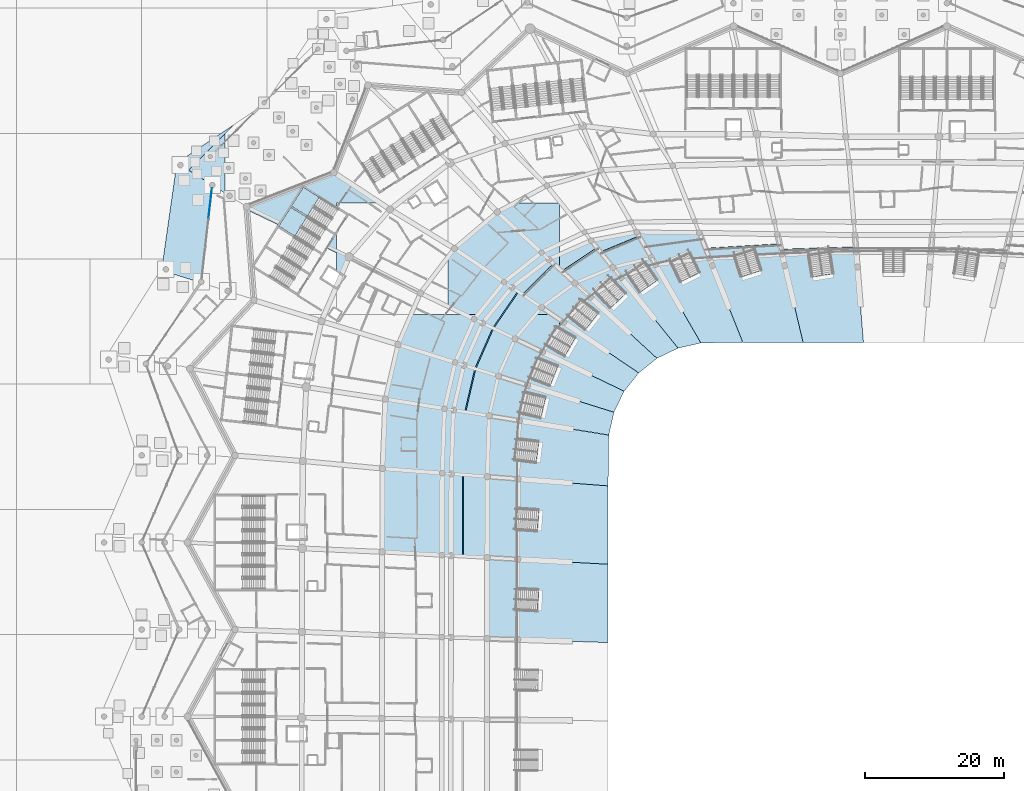
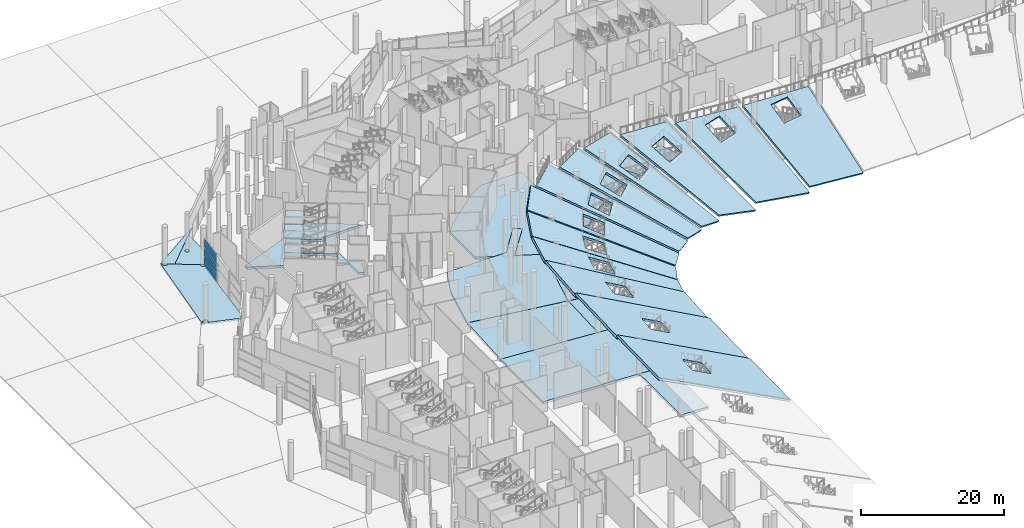
# One storey, part 88 of 255: 29 slabs, 3 plates, 3 elements without a shape of their own.
"""IFC4 building model written with IfcOpenShell, lengths in metres."""

from ifc_helpers import new_model, si_unit, direction, frame, origin, origin_2d, place, context, subcontext, project, spatial, polyline, rectangle, outline, extrude, material, layer, layer_set, type_object, element, aggregate, save


model = new_model("IFC4")

# Units and contexts
model_context = context("Model", 3, precision=1e-05, world=origin(), true_north=direction((0.0, 1.0)))
body_context = subcontext(model_context, "Body", "Model", "MODEL_VIEW")
ifc_project = project(units=[si_unit("LENGTHUNIT", "METRE"), si_unit("AREAUNIT", "SQUARE_METRE"), si_unit("VOLUMEUNIT", "CUBIC_METRE"), si_unit("PLANEANGLEUNIT", "RADIAN"), si_unit("MASSUNIT", "GRAM", prefix="KILO")], contexts=[model_context])

# Site, building, storey
site_placement = place(None, origin())
site = spatial("IfcSite", under=ifc_project, at=site_placement, CompositionType="ELEMENT")
building_placement = place(site_placement, origin())
building = spatial("IfcBuilding", under=site, at=building_placement, Name="Meseta Stadium", CompositionType="ELEMENT")
storey_placement = place(building_placement, origin())
storey = spatial("IfcBuildingStorey", under=building, at=storey_placement, Name="L00", CompositionType="ELEMENT", Elevation=0.0)

# Slabs
ifc_material_1 = material(Name="Concrete C40/50", Category="concrete")
ifc_layer_1 = layer(ifc_material_1, 0.39990234375)
ifc_layer_set_1 = layer_set([ifc_layer_1], Name="Floor slab 400")
slab_type_1 = type_object("IfcSlabType", Name="Floor slab 400", PredefinedType="FLOOR", material=ifc_layer_set_1)
slab_1_placement = place(storey_placement, frame((0.0, 0.0, -0.39990234375)))
element("IfcSlab", 1, at=slab_1_placement, inside=storey, type_object=slab_type_1, Name="Floor slab L00 sector 21 panel 03", PredefinedType="FLOOR", context=body_context, shape_type="SweptSolid", body=[
    extrude(outline(polyline([(-80.124267578125, 84.98388671875), (-80.365478515625, 84.365478515625), (-92.908447265625, 79.474609375), (-92.87451171875, 79.03369140625), (-88.2158203125, 76.793212890625), (-86.58056640625, 79.395751953125), (-80.314697265625, 75.458740234375), (-81.504150390625, 73.565673828125), (-80.0, 72.84228515625), (-80.0, 70.12353515625), (-79.308349609375, 69.68896484375), (-78.197998046875, 72.27197265625), (-80.0, 73.154296875), (-80.0, 75.959716796875), (-80.208251953125, 75.628173828125), (-86.47412109375, 79.565185546875), (-84.771484375, 82.274658203125), (-80.0, 79.276611328125), (-80.0, 80.0), (-73.699951171875, 80.0), (-80.0, 84.126220703125), (-80.0, 84.89990234375), (-80.124267578125, 84.98388671875)])), origin(), (0.0, 0.0, 1.0), 0.39990234375),
])
slab_2_placement = place(storey_placement, frame((0.0, 0.0, -0.39990234375)))
element("IfcSlab", 2, at=slab_2_placement, inside=storey, type_object=slab_type_1, Name="Floor slab L00 sector 21 panel 08", PredefinedType="FLOOR", context=body_context, shape_type="SweptSolid", body=[
    extrude(outline(polyline([(-58.08203125, 49.455810546875), (-56.76123046875, 55.159912109375), (-54.3642578125, 60.513427734375), (-59.049072265625, 62.766357421875), (-54.819580078125, 67.901611328125), (-55.940185546875, 68.658203125), (-59.68408203125, 64.0), (-69.297119140625, 64.0), (-71.169677734375, 59.67724609375), (-72.989990234375, 51.85693359375), (-58.08203125, 49.455810546875)])), origin(), (0.0, 0.0, 1.0), 0.39990234375),
])
slab_3_placement = place(storey_placement, frame((0.0, 0.0, -0.39990234375)))
element("IfcSlab", 3, at=slab_3_placement, inside=storey, type_object=slab_type_1, Name="Floor slab L00 sector 21 panel 11", PredefinedType="FLOOR", context=body_context, shape_type="SweptSolid", body=[
    extrude(outline(polyline([(-64.0, 72.251708984375), (-64.0, 65.1474609375), (-61.614013671875, 64.0), (-59.68408203125, 64.0), (-55.940185546875, 68.658203125), (-54.819580078125, 67.901611328125), (-59.049072265625, 62.766357421875), (-54.3642578125, 60.513427734375), (-51.41650390625, 64.0), (-49.0400390625, 64.0), (-48.0, 63.2978515625), (-48.0, 62.14111328125), (-47.944580078125, 62.211669921875), (-47.38134765625, 62.880126953125), (-46.79638671875, 63.5302734375), (-46.34521484375, 64.0), (-48.0, 64.0), (-48.0, 66.880615234375), (-45.777099609375, 68.499755859375), (-48.0, 70.53466796875), (-48.0, 80.0), (-54.4716796875, 80.0), (-56.9150390625, 78.69580078125), (-63.068115234375, 73.469970703125), (-64.0, 72.251708984375)])), origin(), (0.0, 0.0, 1.0), 0.39990234375),
])
slab_4_placement = place(storey_placement, frame((0.0, 0.0, -0.39990234375)))
element("IfcSlab", 4, at=slab_4_placement, inside=storey, type_object=slab_type_1, Name="Floor slab L00 sector 21 panel 12", PredefinedType="FLOOR", context=body_context, shape_type="SweptSolid", body=[
    extrude(outline(polyline([(-53.458984375, 50.469970703125), (-53.2763671875, 51.32373046875), (-53.06591796875, 52.17138671875), (-52.827880859375, 53.011474609375), (-52.562744140625, 53.843505859375), (-52.270751953125, 54.666259765625), (-51.951904296875, 55.479248046875), (-51.6064453125, 56.281494140625), (-51.2353515625, 57.072021484375), (-50.83837890625, 57.85009765625), (-50.41650390625, 58.61474609375), (-49.969482421875, 59.365478515625), (-49.49853515625, 60.101318359375), (-49.003662109375, 60.8212890625), (-48.485595703125, 61.52490234375), (-48.0, 62.14111328125), (-48.0, 63.2978515625), (-49.0400390625, 64.0), (-51.41650390625, 64.0), (-54.3642578125, 60.513427734375), (-56.76123046875, 55.159912109375), (-58.08203125, 49.455810546875), (-53.73876953125, 48.75634765625), (-53.61376953125, 49.610595703125), (-53.458984375, 50.469970703125)])), origin(), (0.0, 0.0, 1.0), 0.39990234375),
])
slab_5_placement = place(storey_placement, frame((0.0, 0.0, -0.39990234375)))
element("IfcSlab", 5, at=slab_5_placement, inside=storey, type_object=slab_type_1, Name="Floor slab L00 sector 21 panel 16", PredefinedType="FLOOR", context=body_context, shape_type="SweptSolid", body=[
    extrude(outline(polyline([(-36.885986328125, 75.8330078125), (-43.430419921875, 74.617431640625), (-48.0, 72.59619140625), (-48.0, 70.53466796875), (-45.777099609375, 68.499755859375), (-48.0, 66.880615234375), (-48.0, 64.0), (-46.34521484375, 64.0), (-46.190673828125, 64.1611328125), (-45.564453125, 64.77197265625), (-44.918212890625, 65.3623046875), (-44.253173828125, 65.931396484375), (-43.5693359375, 66.478759765625), (-42.867919921875, 67.00390625), (-42.1494140625, 67.505859375), (-41.414306640625, 67.984619140625), (-40.663818359375, 68.439208984375), (-39.898193359375, 68.869384765625), (-39.11865234375, 69.274658203125), (-38.325439453125, 69.654541015625), (-37.519775390625, 70.0087890625), (-36.701904296875, 70.3369140625), (-35.873291015625, 70.638427734375), (-35.033935546875, 70.9130859375), (-34.185302734375, 71.16064453125), (-36.885986328125, 75.8330078125)])), origin(), (0.0, 0.0, 1.0), 0.39990234375),
])
slab_6_placement = place(storey_placement, frame((0.0, 0.0, -0.39990234375)))
element("IfcSlab", 6, at=slab_6_placement, inside=storey, type_object=slab_type_1, Name="Floor slab L00 sector 21 panel 19", PredefinedType="FLOOR", context=body_context, shape_type="SweptSolid", body=[
    extrude(outline(polyline([(-36.8857421875, 75.8330078125), (-34.185302734375, 71.16064453125), (-33.32763671875, 71.380615234375), (-32.4619140625, 71.572998046875), (-31.589111328125, 71.7373046875), (-29.8876953125, 71.856201171875), (-28.178466796875, 71.9716796875), (-26.47216796875, 72.082763671875), (-27.921630859375, 75.735595703125), (-36.8857421875, 75.8330078125)])), origin(), (0.0, 0.0, 1.0), 0.39990234375),
])
slab_7_placement = place(storey_placement, frame((0.0, 0.0, -0.39990234375)))
element("IfcSlab", 7, at=slab_7_placement, inside=storey, type_object=slab_type_1, Name="Floor slab L00 sector 28 panel 19", PredefinedType="FLOOR", context=body_context, shape_type="SweptSolid", body=[
    extrude(outline(polyline([(-58.084716796875, 49.43603515625), (-72.99267578125, 51.837158203125), (-73.40478515625, 41.8623046875), (-58.34912109375, 40.70654296875), (-58.084716796875, 49.43603515625)])), origin(), (0.0, 0.0, 1.0), 0.39990234375),
])
slab_8_placement = place(storey_placement, frame((0.0, 0.0, -0.39990234375)))
element("IfcSlab", 8, at=slab_8_placement, inside=storey, type_object=slab_type_1, Name="Floor slab L00 sector 28 panel 21", PredefinedType="FLOOR", context=body_context, shape_type="SweptSolid", body=[
    extrude(outline(polyline([(-53.9619140625, 40.369873046875), (-73.40478515625, 41.8623046875), (-73.451416015625, 29.904052734375), (-53.98046875, 28.836669921875), (-53.9619140625, 40.369873046875)])), origin(), (0.0, 0.0, 1.0), 0.39990234375),
])
slab_9_placement = place(storey_placement, frame((0.0, 0.0, -0.39990234375)))
element("IfcSlab", 9, at=slab_9_placement, inside=storey, type_object=slab_type_1, Name="Floor slab L00 sector 28 panel 25", PredefinedType="FLOOR", context=body_context, shape_type="SweptSolid", body=[
    extrude(outline(polyline([(-53.992919921875, 17.302490234375), (-53.98046875, 28.836669921875), (-58.373779296875, 29.077392578125), (-58.390625, 17.447021484375), (-53.992919921875, 17.302490234375)])), origin(), (0.0, 0.0, 1.0), 0.39990234375),
])
slab_10_placement = place(storey_placement, frame((0.0, 0.0, -0.39990234375)))
element("IfcSlab", 10, at=slab_10_placement, inside=storey, type_object=slab_type_1, Name="Floor slab L00 sector 28 panel 26", PredefinedType="FLOOR", context=body_context, shape_type="SweptSolid", body=[
    extrude(outline(polyline([(-53.838623046875, 47.87890625), (-53.741455078125, 48.736572265625), (-58.084716796875, 49.43603515625), (-58.34912109375, 40.70654296875), (-53.9619140625, 40.369873046875), (-53.9501953125, 46.135986328125), (-53.90869140625, 47.00830078125), (-53.838623046875, 47.87890625)])), origin(), (0.0, 0.0, 1.0), 0.39990234375),
])
ifc_material_2 = material(Name="Concrete C40/50", Category="concrete")
ifc_layer_2 = layer(ifc_material_2, 0.300048828125)
ifc_layer_set_2 = layer_set([ifc_layer_2], Name="Gate court paving 300")
slab_type_2 = type_object("IfcSlabType", Name="Gate court paving 300", PredefinedType="FLOOR", material=ifc_layer_set_2)
slab_11_placement = place(storey_placement, frame((0.0, 0.0, -0.300048828125)))
element("IfcSlab", 11, at=slab_11_placement, inside=storey, type_object=slab_type_2, Name="Gate 4 court paving", PredefinedType="FLOOR", context=body_context, shape_type="SweptSolid", body=[
    extrude(outline(polyline([(-93.10888671875, 79.600341796875), (-101.236572265625, 84.70751953125), (-94.555419921875, 91.388671875), (-102.93212890625, 85.77294921875), (-93.10888671875, 79.600341796875)])), origin(), (0.0, 0.0, 1.0), 0.300048828125),
])
ifc_material_3 = material(Name="Concrete C30/37", Category="concrete")
ifc_layer_3 = layer(ifc_material_3, 0.300048828125)
ifc_layer_set_3 = layer_set([ifc_layer_3], Name="Gate grade slab 300")
slab_type_3 = type_object("IfcSlabType", Name="Gate grade slab 300", PredefinedType="BASESLAB", material=ifc_layer_set_3)
slab_12_placement = place(storey_placement, frame((0.0, 0.0, -0.300048828125)))
element("IfcSlab", 12, at=slab_12_placement, inside=storey, type_object=slab_type_3, Name="Gate ground floor slab 4 panel 01", PredefinedType="BASESLAB", context=body_context, shape_type="SweptSolid", body=[
    extrude(outline(polyline([(-96.0, 89.944091796875), (-101.236572265625, 84.70751953125), (-96.0, 81.4169921875), (-96.0, 89.944091796875)]), holes=[polyline([(-97.87548828125, 86.523681640625), (-97.923583984375, 86.461181640625), (-97.986328125, 86.4130859375), (-98.059326171875, 86.3828125), (-98.1376953125, 86.372314453125), (-98.2158203125, 86.3828125), (-98.288818359375, 86.4130859375), (-98.3515625, 86.461181640625), (-98.399658203125, 86.523681640625), (-98.429931640625, 86.5966796875), (-98.440185546875, 86.675048828125), (-98.429931640625, 86.75341796875), (-98.399658203125, 86.826416015625), (-98.3515625, 86.888916015625), (-98.288818359375, 86.93701171875), (-98.2158203125, 86.96728515625), (-98.1376953125, 86.9775390625), (-98.059326171875, 86.96728515625), (-97.986328125, 86.93701171875), (-97.923583984375, 86.888916015625), (-97.87548828125, 86.826416015625), (-97.84521484375, 86.75341796875), (-97.8349609375, 86.675048828125), (-97.84521484375, 86.5966796875), (-97.87548828125, 86.523681640625)])]), origin(), (0.0, 0.0, 1.0), 0.300048828125),
])
ifc_material_4 = material(Name="Concrete C40/50", Category="concrete")
ifc_layer_4 = layer(ifc_material_4, 0.300048828125)
ifc_layer_set_4 = layer_set([ifc_layer_4], Name="Passage paving slab 300")
slab_type_4 = type_object("IfcSlabType", Name="Passage paving slab 300", PredefinedType="FLOOR", material=ifc_layer_set_4)
slab_13_placement = place(storey_placement, frame((0.0, 0.0, -0.300048828125)))
element("IfcSlab", 13, at=slab_13_placement, inside=storey, type_object=slab_type_4, Name="Covered passage paving 4 part 2 panel 02", PredefinedType="FLOOR", context=body_context, shape_type="SweptSolid", body=[
    extrude(outline(polyline([(-99.423828125, 69.09716796875), (-99.37890625, 69.09130859375), (-97.89697265625, 82.18310546875), (-97.956298828125, 82.19091796875), (-98.0537109375, 82.231201171875), (-98.13720703125, 82.29541015625), (-98.201416015625, 82.37890625), (-98.24169921875, 82.476318359375), (-98.25537109375, 82.580810546875), (-98.24169921875, 82.68505859375), (-98.201416015625, 82.782470703125), (-98.19189453125, 82.79443359375), (-102.083984375, 85.239990234375), (-102.138916015625, 85.16845703125), (-102.222412109375, 85.104248046875), (-102.31982421875, 85.06396484375), (-102.42431640625, 85.05029296875), (-102.528564453125, 85.06396484375), (-102.6259765625, 85.104248046875), (-102.70947265625, 85.16845703125), (-102.773681640625, 85.251953125), (-102.81396484375, 85.34912109375), (-102.82763671875, 85.45361328125), (-102.81396484375, 85.55810546875), (-102.773681640625, 85.655517578125), (-102.764404296875, 85.66748046875), (-102.93212890625, 85.77294921875), (-105.087158203125, 70.675537109375), (-105.27880859375, 70.37158203125), (-104.837646484375, 70.233154296875), (-104.8701171875, 70.275634765625), (-104.910400390625, 70.372802734375), (-104.92431640625, 70.477294921875), (-104.910400390625, 70.581787109375), (-104.8701171875, 70.678955078125), (-104.805908203125, 70.7626953125), (-104.722412109375, 70.82666015625), (-104.625244140625, 70.866943359375), (-104.520751953125, 70.880859375), (-104.416259765625, 70.866943359375), (-104.319091796875, 70.82666015625), (-104.235595703125, 70.7626953125), (-104.17138671875, 70.678955078125), (-104.131103515625, 70.581787109375), (-104.1171875, 70.477294921875), (-104.131103515625, 70.372802734375), (-104.17138671875, 70.275634765625), (-104.235595703125, 70.19189453125), (-104.319091796875, 70.1279296875), (-104.397705078125, 70.09521484375), (-99.822998046875, 68.660888671875), (-99.8271484375, 68.69384765625), (-99.8134765625, 68.798095703125), (-99.773193359375, 68.8955078125), (-99.708984375, 68.97900390625), (-99.62548828125, 69.043212890625), (-99.5283203125, 69.08349609375), (-99.423828125, 69.09716796875)])), origin(), (0.0, 0.0, 1.0), 0.300048828125),
])

# Curtain wall, plates
ifc_material_5 = material(Name="Aluminium", Category="aluminium")
ifc_layer_5 = layer(ifc_material_5, 0.199951171875)
ifc_layer_set_5 = layer_set([ifc_layer_5], Name="Ring shopfront curtain wall")
curtain_wall_type = type_object("IfcCurtainWallType", Name="Ring shopfront curtain wall", PredefinedType="NOTDEFINED", material=ifc_layer_set_5)
curtain_wall_placement = place(storey_placement, origin())
curtain_wall = element("IfcCurtainWall", 14, at=curtain_wall_placement, inside=storey, type_object=curtain_wall_type, Name="Shopfront glazing F26a", PredefinedType="NOTDEFINED")
ifc_material_6 = material(Name="Glass", Category="glass")
ifc_layer_6 = layer(ifc_material_6, 0.035888671875)
ifc_layer_set_6 = layer_set([ifc_layer_6], Name="Ring CW glass panel 36")
plate_type = type_object("IfcPlateType", Name="Ring CW glass panel 36", PredefinedType="CURTAIN_PANEL", material=ifc_layer_set_6)
plate_1_placement = place(storey_placement, frame((-98.1435546875, 80.003173828125, 0.150146484375), z_axis=(0.0, 0.0, 1.0), x_axis=(-0.112472456913, -0.993654842707, 0.0)))
plate_1 = element("IfcPlate", 15, at=plate_1_placement, type_object=plate_type, Name="CWR1 panel 1.1", PredefinedType="CURTAIN_PANEL", context=body_context, shape_type="SweptSolid", body=[
    extrude(rectangle(XDim=4.267822265625, YDim=0.035888671875, at=origin_2d()), origin(), (0.0, 0.0, 1.0), 1.3916015625),
])
plate_2_placement = place(storey_placement, frame((-98.1435546875, 80.003173828125, 1.69189453125), z_axis=(0.0, 0.0, 1.0), x_axis=(-0.112472456913, -0.993654842707, 0.0)))
plate_2 = element("IfcPlate", 16, at=plate_2_placement, type_object=plate_type, Name="CWR1 panel 1.2", PredefinedType="CURTAIN_PANEL", context=body_context, shape_type="SweptSolid", body=[
    extrude(rectangle(XDim=4.267822265625, YDim=0.035888671875, at=origin_2d()), origin(), (0.0, 0.0, 1.0), 1.466552734375),
])
plate_3_placement = place(storey_placement, frame((-98.1435546875, 80.003173828125, 3.308349609375), z_axis=(0.0, 0.0, 1.0), x_axis=(-0.112472456913, -0.993654842707, 0.0)))
plate_3 = element("IfcPlate", 17, at=plate_3_placement, type_object=plate_type, Name="CWR1 panel 1.3", PredefinedType="CURTAIN_PANEL", context=body_context, shape_type="SweptSolid", body=[
    extrude(rectangle(XDim=4.267822265625, YDim=0.035888671875, at=origin_2d()), origin(), (0.0, 0.0, 1.0), 1.3916015625),
])
aggregate(curtain_wall, [plate_1, plate_2, plate_3])

# Slabs
ifc_material_7 = material(Name="Concrete C40/50", Category="concrete")
ifc_layer_7 = layer(ifc_material_7, 0.35009765625)
ifc_layer_set_7 = layer_set([ifc_layer_7], Name="Seating tier 350")
slab_type_5 = type_object("IfcSlabType", Name="Seating tier 350", PredefinedType="USERDEFINED", material=ifc_layer_set_7)
slab_14_placement = place(storey_placement, frame((-4.333251953125, 60.0, -3.346435546875), z_axis=(0.071216565093, -0.448708363617, 0.890836127061), x_axis=(-0.070520608907, 0.888603931453, 0.453221686072)))
element("IfcSlab", 18, at=slab_14_placement, inside=storey, type_object=slab_type_5, Name="Stand lower tier bay 20", ObjectType="SEATING TIER", PredefinedType="USERDEFINED", context=body_context, shape_type="SweptSolid", body=[
    extrude(outline(polyline([(0.0, 0.0), (15.256945081928205, -1.1102230246251565e-16), (16.038148800663137, 10.739706448419065), (0.9252085548518354, 8.645032168259982), (0.0, 0.0)]), holes=[polyline([(11.509033203125, 3.580810546875), (14.86865234375, 3.8154296875), (14.65966796875, 6.808349609375), (11.30029296875, 6.573486328125), (11.509033203125, 3.580810546875)])]), origin(), (0.0, 0.0, -1.0), 0.35009765625),
])
slab_15_placement = place(storey_placement, frame((-13.0, 60.0, -3.668701171875), z_axis=(0.137459001518, -0.433033482102, 0.890835016308), x_axis=(-0.206445211616, 0.86709572099, 0.453349076586)))
element("IfcSlab", 19, at=slab_15_placement, inside=storey, type_object=slab_type_5, Name="Stand lower tier bay 21", ObjectType="SEATING TIER", PredefinedType="USERDEFINED", context=body_context, shape_type="SweptSolid", body=[
    extrude(outline(polyline([(0.0, 0.0), (16.155502590927636, 1.1102230246251565e-16), (18.41677533676479, 10.493847375066798), (2.3927881983788186, 8.426055499945535), (0.0, 0.0)]), holes=[polyline([(12.916259765625, 3.468017578125), (16.276611328125, 3.68896484375), (16.079833984375, 6.682373046875), (12.719482421875, 6.46142578125), (12.916259765625, 3.468017578125)])]), origin(), (0.0, 0.0, -1.0), 0.35009765625),
])
slab_16_placement = place(storey_placement, frame((-21.6767578125, 59.999755859375, -3.647705078125), z_axis=(0.198989699376, -0.408426764204, 0.890837065812), x_axis=(-0.328785946877, 0.828508050737, 0.453292632856)))
element("IfcSlab", 20, at=slab_16_placement, inside=storey, type_object=slab_type_5, Name="Stand lower tier bay 22", ObjectType="SEATING TIER", PredefinedType="USERDEFINED", context=body_context, shape_type="SweptSolid", body=[
    extrude(outline(polyline([(0.0, 0.0), (17.94888788482146, 6.661338147750939e-16), (20.282915573683724, 7.951698387193904), (2.483919633776646, 5.617383459537127), (0.0, 0.0)]), holes=[polyline([(13.071044921875, 2.072998046875), (16.430908203125, 2.2998046875), (16.22900390625, 5.29296875), (12.869140625, 5.06640625), (13.071044921875, 2.072998046875)])]), origin(), (0.0, 0.0, -1.0), 0.35009765625),
])
slab_17_placement = place(storey_placement, frame((-27.679443359375, 59.90576171875, -3.3173828125), z_axis=(0.258024506389, -0.373946920272, 0.890835032383), x_axis=(-0.446107787374, 0.771763594309, 0.453176341554)))
element("IfcSlab", 21, at=slab_17_placement, inside=storey, type_object=slab_type_5, Name="Stand lower tier bay 23", ObjectType="SEATING TIER", PredefinedType="USERDEFINED", context=body_context, shape_type="SweptSolid", body=[
    extrude(outline(polyline([(0.0, 0.0), (19.743840722236822, -7.771561172376096e-16), (20.728957299522616, 5.9287123564116415), (1.1715727818159132, 3.211319792250833), (0.0, 0.0)]), holes=[polyline([(12.30419921875, 0.912353515625), (15.6630859375, 1.151611328125), (15.449951171875, 4.144287109375), (12.0908203125, 3.904541015625), (12.30419921875, 0.912353515625)])]), origin(), (0.0, 0.0, -1.0), 0.35009765625),
])
slab_18_placement = place(storey_placement, frame((-30.9541015625, 59.158203125, -3.259033203125), z_axis=(0.311697554638, -0.330546737471, 0.890833030809), x_axis=(-0.559818376121, 0.693655612023, 0.453260717101)))
element("IfcSlab", 22, at=slab_18_placement, inside=storey, type_object=slab_type_5, Name="Stand lower tier bay 24", ObjectType="SEATING TIER", PredefinedType="USERDEFINED", context=body_context, shape_type="SweptSolid", body=[
    extrude(outline(polyline([(0.0, 0.0), (20.642187902320696, 1.1102230246251565e-16), (21.3760980469793, 6.032725380747346), (0.9181878622854993, 3.27228876444817), (0.0, 0.0)]), holes=[polyline([(12.17724609375, 0.919677734375), (15.537109375, 1.15087890625), (15.331298828125, 4.143798828125), (11.971435546875, 3.91259765625), (12.17724609375, 0.919677734375)])]), origin(), (0.0, 0.0, -1.0), 0.35009765625),
])
slab_19_placement = place(storey_placement, frame((-33.98046875, 57.700927734375, -3.1962890625), z_axis=(0.357150967709, -0.280812233792, 0.890835380762), x_axis=(-0.657472808041, 0.601861301976, 0.453312783705)))
element("IfcSlab", 23, at=slab_19_placement, inside=storey, type_object=slab_type_5, Name="Stand lower tier bay 25", ObjectType="SEATING TIER", PredefinedType="USERDEFINED", context=body_context, shape_type="SweptSolid", body=[
    extrude(outline(polyline([(0.0, 0.0), (22.437649991531902, -1.6653345369377348e-16), (22.889375836076294, 6.26040014444105), (0.6441884042838784, 3.3199409667290283), (0.0, 0.0)]), holes=[polyline([(11.92822265625, 0.92041015625), (15.2880859375, 1.1455078125), (15.087890625, 4.138916015625), (11.727783203125, 3.91357421875), (11.92822265625, 0.92041015625)])]), origin(), (0.0, 0.0, -1.0), 0.35009765625),
])
slab_20_placement = place(storey_placement, frame((-36.606689453125, 55.606689453125, -3.130615234375), z_axis=(0.394242900943, -0.225801935585, 0.89083445204), x_axis=(-0.738759481289, 0.498706713494, 0.453349801721)))
element("IfcSlab", 24, at=slab_20_placement, inside=storey, type_object=slab_type_5, Name="Stand lower tier bay 26", ObjectType="SEATING TIER", PredefinedType="USERDEFINED", context=body_context, shape_type="SweptSolid", body=[
    extrude(outline(polyline([(0.0, 0.0), (23.335786579375792, 6.106226635438361e-16), (23.496291093254424, 6.36808869380886), (0.35585327179697224, 3.3502953542174336), (0.0, 0.0)]), holes=[polyline([(11.671630859375, 0.918212890625), (15.0322265625, 1.138916015625), (14.835693359375, 4.132568359375), (11.47509765625, 3.911865234375), (11.671630859375, 0.918212890625)])]), origin(), (0.0, 0.0, -1.0), 0.35009765625),
])
slab_21_placement = place(storey_placement, frame((-38.700927734375, 52.98046875, -3.0625), z_axis=(0.422641018675, -0.166701135979, 0.890834047731), x_axis=(-0.80325328581, 0.386305288465, 0.453378851448)))
element("IfcSlab", 25, at=slab_21_placement, inside=storey, type_object=slab_type_5, Name="Stand lower tier bay 27", ObjectType="SEATING TIER", PredefinedType="USERDEFINED", context=body_context, shape_type="SweptSolid", body=[
    extrude(outline(polyline([(0.0, 0.0), (23.33616521339937, -2.609024107869118e-15), (23.201686008201765, 6.356388898874208), (0.058131952911670726, 3.3607730645079053), (0.0, 0.0)]), holes=[polyline([(11.410888671875, 0.910888671875), (14.771240234375, 1.128662109375), (14.5771484375, 4.122314453125), (11.216796875, 3.904541015625), (11.410888671875, 0.910888671875)])]), origin(), (0.0, 0.0, -1.0), 0.35009765625),
])
slab_22_placement = place(storey_placement, frame((-40.158203125, 49.9541015625, -2.99365234375), z_axis=(0.442177971038, -0.104378636413, 0.890833173041), x_axis=(-0.850485610352, 0.26665896378, 0.453395217906)))
element("IfcSlab", 26, at=slab_22_placement, inside=storey, type_object=slab_type_5, Name="Stand lower tier bay 28", ObjectType="SEATING TIER", PredefinedType="USERDEFINED", context=body_context, shape_type="SweptSolid", body=[
    extrude(outline(polyline([(0.0, 0.0), (23.336508782949533, 3.885780586188048e-16), (22.901523996169352, 6.32948110749282), (-0.24244978162947295, 3.340129685972685), (0.0, 0.0)]), holes=[polyline([(11.259521484375, 0.90380859375), (14.6201171875, 1.119873046875), (14.427734375, 4.11376953125), (11.067138671875, 3.897705078125), (11.259521484375, 0.90380859375)])]), origin(), (0.0, 0.0, -1.0), 0.35009765625),
])
slab_23_placement = place(storey_placement, frame((-40.90576171875, 46.66943359375, -2.8046875), z_axis=(0.451150712218, -0.05360822148, 0.89083623268), x_axis=(-0.879658279035, 0.141673482275, 0.454015348358)))
element("IfcSlab", 27, at=slab_23_placement, inside=storey, type_object=slab_type_5, Name="Stand lower tier bay 29", ObjectType="SEATING TIER", PredefinedType="USERDEFINED", context=body_context, shape_type="SweptSolid", body=[
    extrude(outline(polyline([(0.0, 0.0), (23.345080439641926, -2.7755575615628914e-17), (22.152600693548976, 8.944282530278553), (-1.1281017567839362, 7.217894313490275), (0.0, 0.0)]), holes=[polyline([(11.036376953125, 2.532470703125), (14.40185546875, 2.65673828125), (14.291015625, 5.654541015625), (10.925537109375, 5.5302734375), (11.036376953125, 2.532470703125)])]), origin(), (0.0, 0.0, -1.0), 0.35009765625),
])
slab_24_placement = place(storey_placement, frame((-41.0, 39.375, -2.811767578125), z_axis=(0.453344071807, -0.029819807615, 0.890836646996), x_axis=(-0.888235098104, 0.068175344085, 0.45430224846)))
element("IfcSlab", 28, at=slab_24_placement, inside=storey, type_object=slab_type_5, Name="Stand lower tier bay 30", ObjectType="SEATING TIER", PredefinedType="USERDEFINED", context=body_context, shape_type="SweptSolid", body=[
    extrude(outline(polyline([(0.0, 0.0), (23.348616751252266, -3.7470027081099033e-16), (22.406068660073107, 11.67122678491994), (-0.9380014459394543, 11.21714665390208), (0.0, 0.0)]), holes=[polyline([(10.8818359375, 4.218994140625), (14.24951171875, 4.25146484375), (14.220458984375, 7.25146484375), (10.852783203125, 7.21875), (10.8818359375, 4.218994140625)])]), origin(), (0.0, 0.0, -1.0), 0.35009765625),
])
slab_25_placement = place(storey_placement, frame((-41.0, 28.125, -2.874267578125), z_axis=(0.453890944977, -0.019913622557, 0.890834697183), x_axis=(-0.889509787846, 0.048768333767, 0.454306049869)))
element("IfcSlab", 29, at=slab_25_placement, inside=storey, type_object=slab_type_5, Name="Stand lower tier bay 31", ObjectType="SEATING TIER", PredefinedType="USERDEFINED", context=body_context, shape_type="SweptSolid", body=[
    extrude(outline(polyline([(0.0, 0.0), (23.348596900800196, 1.3877787807814457e-17), (22.68133721951176, 11.688521654536387), (-0.6628857547247848, 11.23326831530391), (0.0, 0.0)]), holes=[polyline([(11.01953125, 4.227294921875), (14.386962890625, 4.260009765625), (14.35791015625, 7.259765625), (10.990478515625, 7.227294921875), (11.01953125, 4.227294921875)])]), origin(), (0.0, 0.0, -1.0), 0.35009765625),
])

# Stair, slabs
ifc_material_8 = material(Name="Concrete C40/50", Category="concrete")
stair_type = type_object("IfcStairType", Name="Exit stair 4 flights 148 mm risers", PredefinedType="HALF_TURN_STAIR", material=ifc_material_8)
stair_1_placement = place(storey_placement, origin())
stair_1 = element("IfcStair", 30, at=stair_1_placement, inside=storey, type_object=stair_type, Name="ST53 L00", PredefinedType="HALF_TURN_STAIR")
ifc_material_9 = material(Name="Concrete C40/50", Category="concrete")
ifc_layer_8 = layer(ifc_material_9, 0.199951171875)
ifc_layer_set_8 = layer_set([ifc_layer_8], Name="Stair landing 200")
slab_type_6 = type_object("IfcSlabType", Name="Stair landing 200", PredefinedType="LANDING", material=ifc_layer_set_8)
slab_26_placement = place(storey_placement, frame((0.0, 0.0, 1.425048828125)))
slab_26 = element("IfcSlab", 31, at=slab_26_placement, type_object=slab_type_6, Name="ST53 L00 landing 1", PredefinedType="LANDING", context=body_context, shape_type="SweptSolid", body=[
    extrude(outline(polyline([(-82.47705078125, 80.832763671875), (-84.771484375, 82.274658203125), (-86.47412109375, 79.565185546875), (-84.179443359375, 78.123291015625), (-82.47705078125, 80.832763671875)])), origin(), (0.0, 0.0, 1.0), 0.199951171875),
])
slab_27_placement = place(storey_placement, frame((0.0, 0.0, 4.675048828125)))
slab_27 = element("IfcSlab", 32, at=slab_27_placement, type_object=slab_type_6, Name="ST53 L00 landing 3", PredefinedType="LANDING", context=body_context, shape_type="SweptSolid", body=[
    extrude(outline(polyline([(-82.47705078125, 80.832763671875), (-84.771484375, 82.274658203125), (-86.47412109375, 79.565185546875), (-84.179443359375, 78.123291015625), (-82.47705078125, 80.832763671875)])), origin(), (0.0, 0.0, 1.0), 0.199951171875),
])
aggregate(stair_1, [slab_26, slab_27])

stair_2_placement = place(storey_placement, origin())
stair_2 = element("IfcStair", 33, at=stair_2_placement, inside=storey, type_object=stair_type, Name="ST54 L00", PredefinedType="HALF_TURN_STAIR")
slab_28_placement = place(storey_placement, frame((0.0, 0.0, 1.425048828125)))
slab_28 = element("IfcSlab", 34, at=slab_28_placement, type_object=slab_type_6, Name="ST54 L00 landing 1", PredefinedType="LANDING", context=body_context, shape_type="SweptSolid", body=[
    extrude(outline(polyline([(-84.285888671875, 77.9541015625), (-86.58056640625, 79.395751953125), (-88.282958984375, 76.686279296875), (-85.98828125, 75.244384765625), (-84.285888671875, 77.9541015625)])), origin(), (0.0, 0.0, 1.0), 0.199951171875),
])
slab_29_placement = place(storey_placement, frame((0.0, 0.0, 4.675048828125)))
slab_29 = element("IfcSlab", 35, at=slab_29_placement, type_object=slab_type_6, Name="ST54 L00 landing 3", PredefinedType="LANDING", context=body_context, shape_type="SweptSolid", body=[
    extrude(outline(polyline([(-84.285888671875, 77.9541015625), (-86.58056640625, 79.395751953125), (-88.282958984375, 76.686279296875), (-85.98828125, 75.244384765625), (-84.285888671875, 77.9541015625)])), origin(), (0.0, 0.0, 1.0), 0.199951171875),
])
aggregate(stair_2, [slab_28, slab_29])

save(model, "model.ifc")
